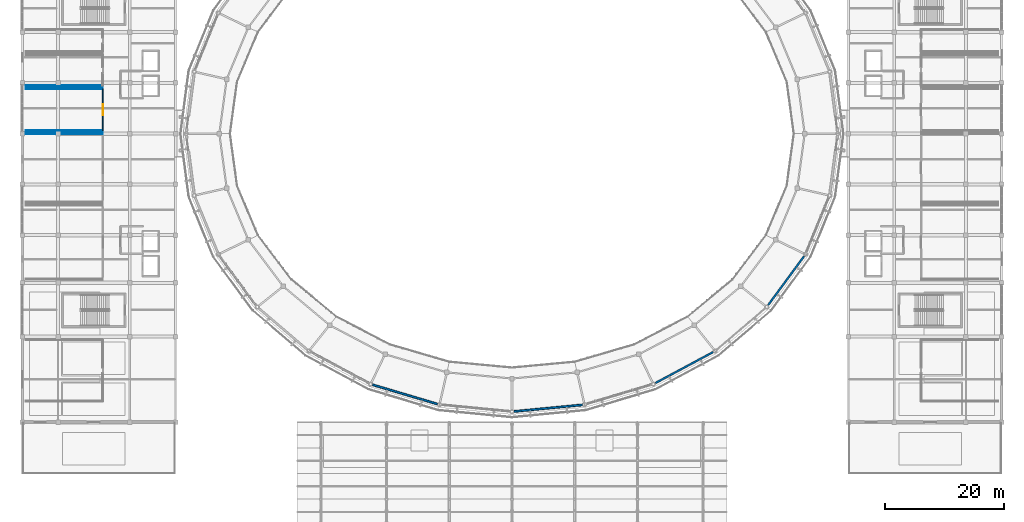
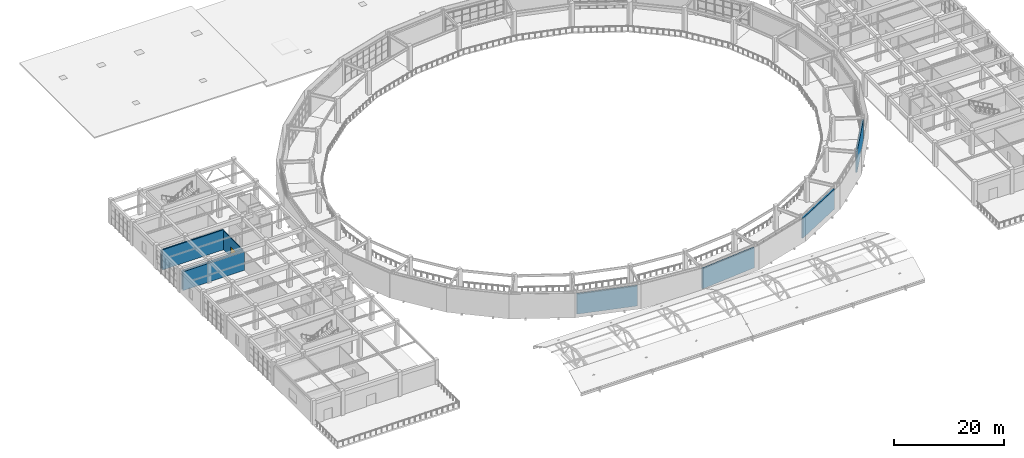
# One storey, part 54 of 70: 9 walls, 1 door, 1 opening.
"""IFC4 building model written with IfcOpenShell, lengths in metres."""

from ifc_helpers import new_model, si_unit, direction, frame, frame_2d, origin, place, context, subcontext, project, spatial, rectangle, extrude, material, layer, layer_set, type_object, element, fill, save


model = new_model("IFC4")

# Units and contexts
model_context = context("Model", 3, precision=1e-05, world=origin(), true_north=direction((0.0, 1.0)))
body_context = subcontext(model_context, "Body", "Model", "MODEL_VIEW")
ifc_project = project(units=[si_unit("LENGTHUNIT", "METRE"), si_unit("AREAUNIT", "SQUARE_METRE"), si_unit("VOLUMEUNIT", "CUBIC_METRE"), si_unit("PLANEANGLEUNIT", "RADIAN"), si_unit("MASSUNIT", "GRAM", prefix="KILO")], contexts=[model_context])

# Site, building, storey
site_placement = place(None, origin())
site = spatial("IfcSite", under=ifc_project, at=site_placement, CompositionType="ELEMENT")
building_placement = place(site_placement, origin())
building = spatial("IfcBuilding", under=site, at=building_placement, Name="Cuetzalor Civic Arena", CompositionType="ELEMENT")
storey_placement = place(building_placement, frame((0.0, 0.0, 21.0)))
storey = spatial("IfcBuildingStorey", under=building, at=storey_placement, Name="L04", CompositionType="ELEMENT", Elevation=21.0)

# Walls
ifc_material_1 = material(Name="Acoustic steel-stud gypsum partition", Category="steel")
ifc_layer_1 = layer(ifc_material_1, 0.14990234375)
ifc_layer_set_1 = layer_set([ifc_layer_1], Name="Acoustic steel-stud gypsum partition")
wall_type_1 = type_object("IfcWallType", Name="AcousticGypsumPartition_150", PredefinedType="PARTITIONING", material=ifc_layer_set_1)
wall_1_placement = place(storey_placement, frame((-81.39990234375, 0.0, 0.0), z_axis=(0.0, 0.0, 1.0), x_axis=(1.0, 0.0, 0.0)))
element("IfcWall", 1, at=wall_1_placement, inside=storey, type_object=wall_type_1, Name="Interior Partition IWALL:L04:0508", PredefinedType="PARTITIONING", context=body_context, shape_type="SweptSolid", body=[
    extrude(rectangle(XDim=12.89990234375, YDim=0.14990234375, at=frame_2d((6.449951171875, 0.0))), origin(), (0.0, 0.0, 1.0), 4.14501953125),
])
wall_2_placement = place(storey_placement, frame((-81.39990234375, 7.5, 0.0), z_axis=(0.0, 0.0, 1.0), x_axis=(1.0, 0.0, 0.0)))
element("IfcWall", 2, at=wall_2_placement, inside=storey, type_object=wall_type_1, Name="Interior Partition IWALL:L04:0511", PredefinedType="PARTITIONING", context=body_context, shape_type="SweptSolid", body=[
    extrude(rectangle(XDim=12.89990234375, YDim=0.14990234375, at=frame_2d((6.449951171875, 0.0))), origin(), (0.0, 0.0, 1.0), 4.445068359375),
])
wall_3_placement = place(storey_placement, frame((-68.5, 0.5, 0.0), z_axis=(0.0, 0.0, 1.0), x_axis=(-1.0, 0.0, 0.0)))
element("IfcWall", 3, at=wall_3_placement, inside=storey, type_object=wall_type_1, Name="Interior Partition IWALL:L04:0512", PredefinedType="PARTITIONING", context=body_context, shape_type="SweptSolid", body=[
    extrude(rectangle(XDim=12.89990234375, YDim=0.14990234375, at=frame_2d((6.449951171875, 0.0))), origin(), (0.0, 0.0, 1.0), 4.14501953125),
])

# Wall, opening, door
wall_4_placement = place(storey_placement, frame((-68.5, 7.5, 0.0), z_axis=(0.0, 0.0, 1.0), x_axis=(0.0, -1.0, 0.0)))
wall_4 = element("IfcWall", 4, at=wall_4_placement, inside=storey, type_object=wall_type_1, Name="Interior Partition IWALL:L04:0513", PredefinedType="PARTITIONING", context=body_context, shape_type="SweptSolid", body=[
    extrude(rectangle(XDim=7.0, YDim=0.14990234375, at=frame_2d((3.5, 0.0))), origin(), (0.0, 0.0, 1.0), 4.14501953125),
])
opening_placement = place(wall_4_placement, frame((2.60009765625, 0.0, 0.0)))
opening = element("IfcOpeningElement", 5, at=opening_placement, cuts=wall_4, Name="Opening ID-06", PredefinedType="OPENING", context=body_context, shape_type="SweptSolid", body=[
    extrude(rectangle(XDim=1.800048828125, YDim=2.199951171875, at=frame_2d((0.89990234375, 1.10009765625))), frame((0.0, 0.0849609375, 0.0), z_axis=(0.0, -1.0, 0.0), x_axis=(1.0, 0.0, 0.0)), (0.0, 0.0, 1.0), 0.169921875),
])
ifc_material_2 = material(Name="Glazed bronze acoustic double door", Category="metal")
door_type = type_object("IfcDoorType", Name="PublicDoubleDoor_1800x2200", OperationType="DOUBLE_DOOR_SINGLE_SWING", PredefinedType="DOOR", material=ifc_material_2)
door_placement = place(opening_placement, origin())
door = element("IfcDoor", 6, at=door_placement, inside=storey, type_object=door_type, Name="Door to Panoramic Terrace Bar West L04", OperationType="DOUBLE_DOOR_SINGLE_SWING", OverallHeight=2.199951171875, OverallWidth=1.800048828125, PredefinedType="DOOR", context=body_context, shape_type="SweptSolid", body=[
    extrude(rectangle(XDim=1.800048828125, YDim=2.199951171875, at=frame_2d((0.89990234375, 1.10009765625))), frame((0.0, 0.02490234375, 0.0), z_axis=(0.0, -1.0, 0.0), x_axis=(1.0, 0.0, 0.0)), (0.0, 0.0, 1.0), 0.050048828125),
])
fill(opening, door)

# Walls
wall_5_placement = place(storey_placement, frame((-68.5, 8.0, 0.0), z_axis=(0.0, 0.0, 1.0), x_axis=(-1.0, 0.0, 0.0)))
element("IfcWall", 7, at=wall_5_placement, inside=storey, type_object=wall_type_1, Name="Interior Partition IWALL:L04:0515", PredefinedType="PARTITIONING", context=body_context, shape_type="SweptSolid", body=[
    extrude(rectangle(XDim=12.89990234375, YDim=0.14990234375, at=frame_2d((6.449951171875, 0.0))), origin(), (0.0, 0.0, 1.0), 4.14501953125),
])
ifc_material_3 = material(Name="Precast concrete C40/50 insulated cladding", Category="concrete")
ifc_layer_2 = layer(ifc_material_3, 0.320068359375)
ifc_layer_set_2 = layer_set([ifc_layer_2], Name="Precast concrete C40/50 insulated cladding")
wall_type_2 = type_object("IfcWallType", Name="InsulatedPrecastWall_320", PredefinedType="SOLIDWALL", material=ifc_layer_set_2)
wall_6_placement = place(storey_placement, frame((-12.48486328125, -45.279541015625, 0.0), z_axis=(0.0, 0.0, 1.0), x_axis=(-0.958192076012, 0.286125751144, 0.0)))
element("IfcWall", 8, at=wall_6_placement, inside=storey, type_object=wall_type_2, Name="Drum Acoustic Backing Wall L04-068", PredefinedType="SOLIDWALL", context=body_context, shape_type="SweptSolid", body=[
    extrude(rectangle(XDim=11.31005859375, YDim=0.320068359375, at=frame_2d((5.655029296875, 0.0))), origin(), (0.0, 0.0, 1.0), 4.431884765625),
])
wall_7_placement = place(storey_placement, frame((11.8251953125, -45.4130859375, 0.0), z_axis=(0.0, 0.0, 1.0), x_axis=(-0.995408913067, -0.095713613383, 0.0)))
element("IfcWall", 9, at=wall_7_placement, inside=storey, type_object=wall_type_2, Name="Drum Acoustic Backing Wall L04-069", PredefinedType="SOLIDWALL", context=body_context, shape_type="SweptSolid", body=[
    extrude(rectangle(XDim=11.56494140625, YDim=0.320068359375, at=frame_2d((5.782470703125, 0.0))), origin(), (0.0, 0.0, 1.0), 4.431884765625),
])
wall_8_placement = place(storey_placement, frame((33.663330078125, -36.580810546875, 0.0), z_axis=(0.0, 0.0, 1.0), x_axis=(-0.881305503949, -0.472546938102, 0.0)))
element("IfcWall", 10, at=wall_8_placement, inside=storey, type_object=wall_type_2, Name="Drum Acoustic Backing Wall L04-070", PredefinedType="SOLIDWALL", context=body_context, shape_type="SweptSolid", body=[
    extrude(rectangle(XDim=10.9462890625, YDim=0.320068359375, at=frame_2d((5.47314453125, 0.0))), origin(), (0.0, 0.0, 1.0), 4.431884765625),
])
wall_9_placement = place(storey_placement, frame((48.90576171875, -20.526123046875, 0.0), z_axis=(0.0, 0.0, 1.0), x_axis=(-0.592929724135, -0.805254209698, 0.0)))
element("IfcWall", 11, at=wall_9_placement, inside=storey, type_object=wall_type_2, Name="Drum Acoustic Backing Wall L04-071", PredefinedType="SOLIDWALL", context=body_context, shape_type="SweptSolid", body=[
    extrude(rectangle(XDim=10.14404296875, YDim=0.320068359375, at=frame_2d((5.072021484375, 0.0))), origin(), (0.0, 0.0, 1.0), 4.653076171875),
])

save(model, "model.ifc")
